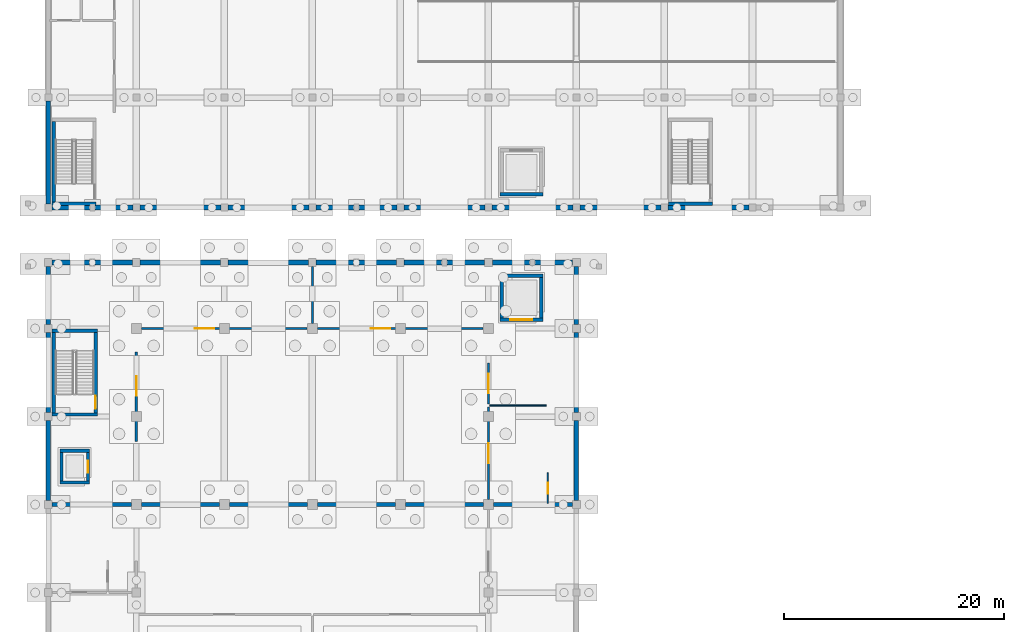
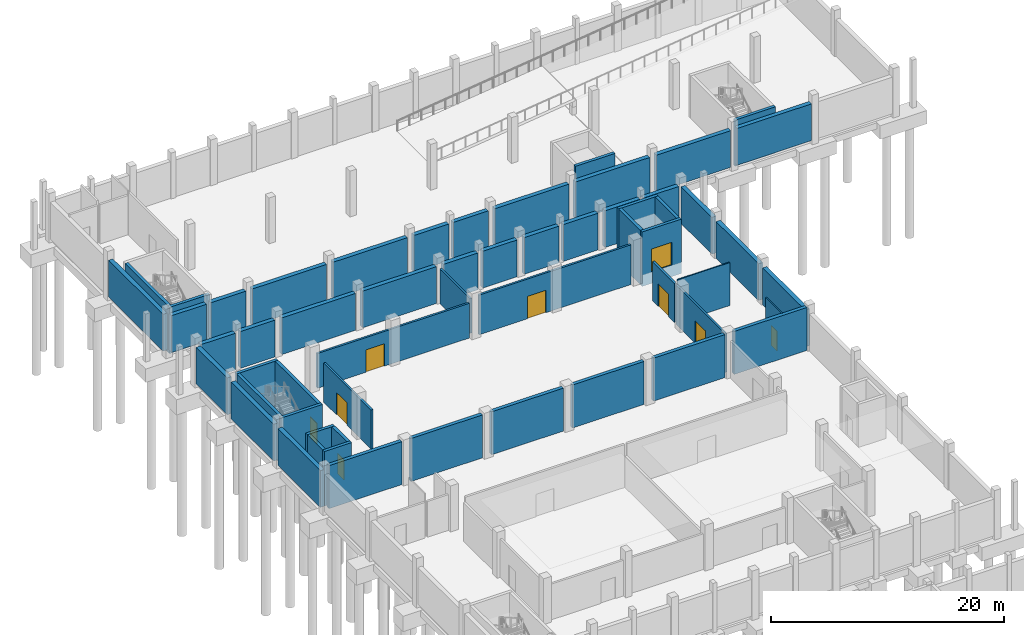
# One storey, part 28 of 52: 57 walls, 9 doors, 9 openings.
"""IFC4 building model written with IfcOpenShell, lengths in metres."""

from ifc_helpers import new_model, si_unit, direction, frame, frame_2d, origin, place, context, subcontext, project, spatial, rectangle, extrude, material, layer, layer_set, type_object, element, fill, save


model = new_model("IFC4")

# Units and contexts
model_context = context("Model", 3, precision=1e-05, world=origin(), true_north=direction((0.0, 1.0)))
body_context = subcontext(model_context, "Body", "Model", "MODEL_VIEW")
ifc_project = project(units=[si_unit("LENGTHUNIT", "METRE"), si_unit("AREAUNIT", "SQUARE_METRE"), si_unit("VOLUMEUNIT", "CUBIC_METRE"), si_unit("PLANEANGLEUNIT", "RADIAN"), si_unit("MASSUNIT", "GRAM", prefix="KILO")], contexts=[model_context])

# Site, building, storey
site_placement = place(None, origin())
site = spatial("IfcSite", under=ifc_project, at=site_placement, CompositionType="ELEMENT")
building_placement = place(site_placement, origin())
building = spatial("IfcBuilding", under=site, at=building_placement, Name="Luwemba Playhouse", CompositionType="ELEMENT")
storey_placement = place(building_placement, frame((0.0, 0.0, -4.800048828125)))
storey = spatial("IfcBuildingStorey", under=building, at=storey_placement, Name="B1", CompositionType="ELEMENT", Elevation=-4.800048828125)

# Walls
ifc_material_1 = material(Name="Concrete C40/50", Category="concrete")
ifc_layer_1 = layer(ifc_material_1, 0.300048828125)
ifc_layer_set_1 = layer_set([ifc_layer_1], Name="Concrete C40/50")
wall_type_1 = type_object("IfcWallType", Name="WAL-CORE-300", PredefinedType="SHEAR", material=ifc_layer_set_1)
for number, where, z_axis, x_axis, name in (
    (1, (4.35009765625, 76.18994140625, -0.3798828125), (0.0, 0.0, 1.0), (1.0, 0.0, 0.0), "B1 ST-03 stair core wall S"),
    (2, (8.449951171875, 83.81005859375, -0.3798828125), (0.0, 0.0, 1.0), (-1.0, 0.0, 0.0), "B1 ST-03 stair core wall N"),
):
    element("IfcWall", number, at=place(storey_placement, frame(where, z_axis=z_axis, x_axis=x_axis)), inside=storey, type_object=wall_type_1, Name=name, PredefinedType="SHEAR", context=body_context, shape_type="SweptSolid", body=[
        extrude(rectangle(XDim=4.099853515625, YDim=0.300048828125, at=frame_2d((2.0498046875, 0.0))), origin(), (0.0, 0.0, 1.0), 4.8798828125),
    ])
wall_1_placement = place(storey_placement, frame((4.5, 76.340087890625, -0.3798828125), z_axis=(0.0, 0.0, 1.0), x_axis=(0.0, 1.0, 0.0)))
element("IfcWall", 3, at=wall_1_placement, inside=storey, type_object=wall_type_1, Name="B1 ST-03 stair core wall W", PredefinedType="SHEAR", context=body_context, shape_type="SweptSolid", body=[
    extrude(rectangle(XDim=7.31982421875, YDim=0.300048828125, at=frame_2d((3.659912109375, 0.0))), origin(), (0.0, 0.0, 1.0), 4.8798828125),
])

# Wall, opening, door
wall_2_placement = place(storey_placement, frame((8.300048828125, 76.340087890625, -0.3798828125), z_axis=(0.0, 0.0, 1.0), x_axis=(0.0, 1.0, 0.0)))
wall_2 = element("IfcWall", 4, at=wall_2_placement, inside=storey, type_object=wall_type_1, Name="B1 ST-03 stair core wall E", PredefinedType="SHEAR", context=body_context, shape_type="SweptSolid", body=[
    extrude(rectangle(XDim=7.31982421875, YDim=0.300048828125, at=frame_2d((3.659912109375, 0.0))), origin(), (0.0, 0.0, 1.0), 4.8798828125),
])
opening_1_placement = place(wall_2_placement, frame((0.35009765625, 0.0, 0.3798828125)))
opening_1 = element("IfcOpeningElement", 5, at=opening_1_placement, cuts=wall_2, Name="Opening D-STAIR3", PredefinedType="OPENING", context=body_context, shape_type="SweptSolid", body=[
    extrude(rectangle(XDim=1.199951171875, YDim=2.14990234375, at=frame_2d((0.60009765625, 1.074951171875))), frame((0.0, 0.159912109375, 0.0), z_axis=(0.0, -1.0, 0.0), x_axis=(1.0, 0.0, 0.0)), (0.0, 0.0, 1.0), 0.320068359375),
])
ifc_material_2 = material(Name="Hardwood acoustic fire door leaf", Category="wood")
door_type_1 = type_object("IfcDoorType", Name="DR-STAIR-120", OperationType="NOTDEFINED", PredefinedType="DOOR", material=ifc_material_2)
door_1_placement = place(opening_1_placement, origin())
door_1 = element("IfcDoor", 6, at=door_1_placement, inside=storey, type_object=door_type_1, Name="B1 ST-03 protected stair entry door", OperationType="SINGLE_SWING_RIGHT", OverallHeight=2.14990234375, OverallWidth=1.199951171875, PredefinedType="DOOR", context=body_context, shape_type="SweptSolid", body=[
    extrude(rectangle(XDim=1.199951171875, YDim=2.14990234375, at=frame_2d((0.60009765625, 1.074951171875))), frame((0.0, 0.02490234375, 0.0), z_axis=(0.0, -1.0, 0.0), x_axis=(1.0, 0.0, 0.0)), (0.0, 0.0, 1.0), 0.050048828125),
])
fill(opening_1, door_1)

# Walls
wall_3_placement = place(storey_placement, frame((4.35009765625, 95.35009765625, -0.3798828125), z_axis=(0.0, 0.0, 1.0), x_axis=(1.0, 0.0, 0.0)))
element("IfcWall", 7, at=wall_3_placement, inside=storey, type_object=wall_type_1, Name="B1 ST-08 stair core wall S", PredefinedType="SHEAR", context=body_context, shape_type="SweptSolid", body=[
    extrude(rectangle(XDim=4.0, YDim=0.300048828125, at=frame_2d((2.0, 0.0))), origin(), (0.0, 0.0, 1.0), 4.83984375),
])
wall_4_placement = place(storey_placement, frame((4.5, 95.5, -0.3798828125), z_axis=(0.0, 0.0, 1.0), x_axis=(0.0, 1.0, 0.0)))
element("IfcWall", 8, at=wall_4_placement, inside=storey, type_object=wall_type_1, Name="B1 ST-08 stair core wall W", PredefinedType="SHEAR", context=body_context, shape_type="SweptSolid", body=[
    extrude(rectangle(XDim=7.320068359375, YDim=0.300048828125, at=frame_2d((3.66015625, 0.0))), origin(), (0.0, 0.0, 1.0), 4.83984375),
])
wall_5_placement = place(storey_placement, frame((60.35009765625, 95.35009765625, -0.3798828125), z_axis=(0.0, 0.0, 1.0), x_axis=(1.0, 0.0, 0.0)))
element("IfcWall", 9, at=wall_5_placement, inside=storey, type_object=wall_type_1, Name="B1 ST-15 stair core wall S", PredefinedType="SHEAR", context=body_context, shape_type="SweptSolid", body=[
    extrude(rectangle(XDim=4.0, YDim=0.300048828125, at=frame_2d((2.0, 0.0))), origin(), (0.0, 0.0, 1.0), 4.83984375),
])
for number, where, z_axis, x_axis, name in (
    (10, (5.050048828125, 70.0, -1.199951171875), (0.0, 0.0, 1.0), (1.0, 0.0, 0.0), "B1 Lift LF-P2 shaft wall S"),
    (11, (7.75, 72.89990234375, -1.199951171875), (0.0, 0.0, 1.0), (-1.0, 0.0, 0.0), "B1 Lift LF-P2 shaft wall N"),
):
    element("IfcWall", number, at=place(storey_placement, frame(where, z_axis=z_axis, x_axis=x_axis)), inside=storey, type_object=wall_type_1, Name=name, PredefinedType="SHEAR", context=body_context, shape_type="SweptSolid", body=[
        extrude(rectangle(XDim=2.699951171875, YDim=0.300048828125, at=frame_2d((1.35009765625, 0.0))), origin(), (0.0, 0.0, 1.0), 5.699951171875),
    ])
wall_6_placement = place(storey_placement, frame((5.199951171875, 70.14990234375, -1.199951171875), z_axis=(0.0, 0.0, 1.0), x_axis=(0.0, 1.0, 0.0)))
element("IfcWall", 12, at=wall_6_placement, inside=storey, type_object=wall_type_1, Name="B1 Lift LF-P2 shaft wall W", PredefinedType="SHEAR", context=body_context, shape_type="SweptSolid", body=[
    extrude(rectangle(XDim=2.60009765625, YDim=0.300048828125, at=frame_2d((1.300048828125, 0.0))), origin(), (0.0, 0.0, 1.0), 5.699951171875),
])

# Wall, opening, door
wall_7_placement = place(storey_placement, frame((7.60009765625, 72.75, -1.199951171875), z_axis=(0.0, 0.0, 1.0), x_axis=(0.0, -1.0, 0.0)))
wall_7 = element("IfcWall", 13, at=wall_7_placement, inside=storey, type_object=wall_type_1, Name="B1 Lift LF-P2 shaft wall E", PredefinedType="SHEAR", context=body_context, shape_type="SweptSolid", body=[
    extrude(rectangle(XDim=2.60009765625, YDim=0.300048828125, at=frame_2d((1.300048828125, 0.0))), origin(), (0.0, 0.0, 1.0), 5.699951171875),
])
opening_2_placement = place(wall_7_placement, frame((0.75, 0.0, 1.199951171875)))
opening_2 = element("IfcOpeningElement", 14, at=opening_2_placement, cuts=wall_7, Name="Opening LD-01", PredefinedType="OPENING", context=body_context, shape_type="SweptSolid", body=[
    extrude(rectangle(XDim=1.10009765625, YDim=2.14990234375, at=frame_2d((0.550048828125, 1.074951171875))), frame((0.0, 0.159912109375, 0.0), z_axis=(0.0, -1.0, 0.0), x_axis=(1.0, 0.0, 0.0)), (0.0, 0.0, 1.0), 0.320068359375),
])
ifc_material_3 = material(Name="Stainless steel lift landing doors", Category="steel")
door_type_2 = type_object("IfcDoorType", Name="DR-LIFT-110", OperationType="NOTDEFINED", PredefinedType="DOOR", material=ifc_material_3)
door_2_placement = place(opening_2_placement, origin())
door_2 = element("IfcDoor", 15, at=door_2_placement, inside=storey, type_object=door_type_2, Name="B1 Lift LF-P2 landing door", OperationType="DOUBLE_DOOR_SLIDING", OverallHeight=2.14990234375, OverallWidth=1.10009765625, PredefinedType="DOOR", context=body_context, shape_type="SweptSolid", body=[
    extrude(rectangle(XDim=1.10009765625, YDim=2.14990234375, at=frame_2d((0.550048828125, 1.074951171875))), frame((0.0, 0.02490234375, 0.0), z_axis=(0.0, -1.0, 0.0), x_axis=(1.0, 0.0, 0.0)), (0.0, 0.0, 1.0), 0.050048828125),
])
fill(opening_2, door_2)

wall_8_placement = place(storey_placement, frame((45.050048828125, 84.800048828125, -1.199951171875), z_axis=(0.0, 0.0, 1.0), x_axis=(1.0, 0.0, 0.0)))
wall_8 = element("IfcWall", 16, at=wall_8_placement, inside=storey, type_object=wall_type_1, Name="B1 Lift LF-G1 shaft wall S", PredefinedType="SHEAR", context=body_context, shape_type="SweptSolid", body=[
    extrude(rectangle(XDim=3.89990234375, YDim=0.300048828125, at=frame_2d((1.949951171875, 0.0))), origin(), (0.0, 0.0, 1.0), 5.699951171875),
])
opening_3_placement = place(wall_8_placement, frame((0.949951171875, 0.0, 1.199951171875)))
opening_3 = element("IfcOpeningElement", 17, at=opening_3_placement, cuts=wall_8, Name="Opening LD-02", PredefinedType="OPENING", context=body_context, shape_type="SweptSolid", body=[
    extrude(rectangle(XDim=2.0, YDim=2.39990234375, at=frame_2d((1.0, 1.199951171875))), frame((0.0, 0.159912109375, 0.0), z_axis=(0.0, -1.0, 0.0), x_axis=(1.0, 0.0, 0.0)), (0.0, 0.0, 1.0), 0.320068359375),
])
ifc_material_4 = material(Name="Heavy steel goods lift landing doors", Category="steel")
door_type_3 = type_object("IfcDoorType", Name="DR-LIFT-200", OperationType="NOTDEFINED", PredefinedType="DOOR", material=ifc_material_4)
door_3_placement = place(opening_3_placement, origin())
door_3 = element("IfcDoor", 18, at=door_3_placement, inside=storey, type_object=door_type_3, Name="B1 Lift LF-G1 landing door", OperationType="DOUBLE_DOOR_SLIDING", OverallHeight=2.39990234375, OverallWidth=2.0, PredefinedType="DOOR", context=body_context, shape_type="SweptSolid", body=[
    extrude(rectangle(XDim=2.0, YDim=2.39990234375, at=frame_2d((1.0, 1.199951171875))), frame((0.0, 0.02490234375, 0.0), z_axis=(0.0, -1.0, 0.0), x_axis=(1.0, 0.0, 0.0)), (0.0, 0.0, 1.0), 0.050048828125),
])
fill(opening_3, door_3)

# Walls
wall_9_placement = place(storey_placement, frame((48.949951171875, 88.800048828125, -1.199951171875), z_axis=(0.0, 0.0, 1.0), x_axis=(-1.0, 0.0, 0.0)))
element("IfcWall", 19, at=wall_9_placement, inside=storey, type_object=wall_type_1, Name="B1 Lift LF-G1 shaft wall N", PredefinedType="SHEAR", context=body_context, shape_type="SweptSolid", body=[
    extrude(rectangle(XDim=3.89990234375, YDim=0.300048828125, at=frame_2d((1.949951171875, 0.0))), origin(), (0.0, 0.0, 1.0), 5.699951171875),
])
for number, where, z_axis, x_axis, name in (
    (20, (45.199951171875, 84.949951171875, -1.199951171875), (0.0, 0.0, 1.0), (0.0, 1.0, 0.0), "B1 Lift LF-G1 shaft wall W"),
    (21, (48.800048828125, 88.64990234375, -1.199951171875), (0.0, 0.0, 1.0), (0.0, -1.0, 0.0), "B1 Lift LF-G1 shaft wall E"),
):
    element("IfcWall", number, at=place(storey_placement, frame(where, z_axis=z_axis, x_axis=x_axis)), inside=storey, type_object=wall_type_1, Name=name, PredefinedType="SHEAR", context=body_context, shape_type="SweptSolid", body=[
        extrude(rectangle(XDim=3.699951171875, YDim=0.300048828125, at=frame_2d((1.85009765625, 0.0))), origin(), (0.0, 0.0, 1.0), 5.699951171875),
    ])
wall_10_placement = place(storey_placement, frame((45.050048828125, 96.199951171875, -1.199951171875), z_axis=(0.0, 0.0, 1.0), x_axis=(1.0, 0.0, 0.0)))
element("IfcWall", 22, at=wall_10_placement, inside=storey, type_object=wall_type_1, Name="B1 Lift LF-G2 shaft wall S", PredefinedType="SHEAR", context=body_context, shape_type="SweptSolid", body=[
    extrude(rectangle(XDim=3.89990234375, YDim=0.300048828125, at=frame_2d((1.949951171875, 0.0))), origin(), (0.0, 0.0, 1.0), 5.659912109375),
])

# Wall, opening, door
ifc_material_5 = material(Name="Moisture-resistant sanitary partition", Category="gypsum")
ifc_layer_2 = layer(ifc_material_5, 0.1201171875)
ifc_layer_set_2 = layer_set([ifc_layer_2], Name="Moisture-resistant sanitary partition")
wall_type_2 = type_object("IfcWallType", Name="WAL-INT-120", PredefinedType="PARTITIONING", material=ifc_layer_set_2)
wall_11_placement = place(storey_placement, frame((49.39990234375, 68.1201171875, 0.0), z_axis=(0.0, 0.0, 1.0), x_axis=(0.0, 1.0, 0.0)))
wall_11 = element("IfcWall", 23, at=wall_11_placement, inside=storey, type_object=wall_type_2, Name="B1 V2 interior partition 0019", PredefinedType="PARTITIONING", context=body_context, shape_type="SweptSolid", body=[
    extrude(rectangle(XDim=2.759765625, YDim=0.1201171875, at=frame_2d((1.3798828125, 0.0))), origin(), (0.0, 0.0, 1.0), 4.5),
])
opening_4_placement = place(wall_11_placement, frame((0.8798828125, 0.0, 0.0)))
opening_4 = element("IfcOpeningElement", 24, at=opening_4_placement, cuts=wall_11, Name="Opening D-AWC", PredefinedType="OPENING", context=body_context, shape_type="SweptSolid", body=[
    extrude(rectangle(XDim=1.0, YDim=2.10009765625, at=frame_2d((0.5, 1.050048828125))), frame((0.0, 0.070068359375, 0.0), z_axis=(0.0, -1.0, 0.0), x_axis=(1.0, 0.0, 0.0)), (0.0, 0.0, 1.0), 0.14013671875),
])
ifc_material_6 = material(Name="Accessible WC outward-assisted timber door", Category="wood")
door_type_4 = type_object("IfcDoorType", Name="DR-AWC-100", OperationType="NOTDEFINED", PredefinedType="DOOR", material=ifc_material_6)
door_4_placement = place(opening_4_placement, origin())
door_4 = element("IfcDoor", 25, at=door_4_placement, inside=storey, type_object=door_type_4, Name="B1 Backstage Basement Toilets to Backstage Basement Accessible WC door", OperationType="SINGLE_SWING_LEFT", OverallHeight=2.10009765625, OverallWidth=1.0, PredefinedType="DOOR", context=body_context, shape_type="SweptSolid", body=[
    extrude(rectangle(XDim=1.0, YDim=2.10009765625, at=frame_2d((0.5, 1.050048828125))), frame((0.0, 0.02490234375, 0.0), z_axis=(0.0, -1.0, 0.0), x_axis=(1.0, 0.0, 0.0)), (0.0, 0.0, 1.0), 0.050048828125),
])
fill(opening_4, door_4)

# Wall
wall_12_placement = place(storey_placement, frame((44.1201171875, 77.0, 0.0), z_axis=(0.0, 0.0, 1.0), x_axis=(1.0, 0.0, 0.0)))
element("IfcWall", 26, at=wall_12_placement, inside=storey, type_object=wall_type_2, Name="B1 V2 interior partition 0020", PredefinedType="PARTITIONING", context=body_context, shape_type="SweptSolid", body=[
    extrude(rectangle(XDim=5.159912109375, YDim=0.1201171875, at=frame_2d((2.580078125, 0.0))), origin(), (0.0, 0.0, 1.0), 4.5),
])

# Wall, opening, door
ifc_material_7 = material(Name="Clay acoustic masonry blockwork", Category="masonry")
ifc_layer_3 = layer(ifc_material_7, 0.199951171875)
ifc_layer_set_3 = layer_set([ifc_layer_3], Name="Clay acoustic masonry blockwork")
wall_type_3 = type_object("IfcWallType", Name="WAL-INT-200", PredefinedType="PARTITIONING", material=ifc_layer_set_3)
wall_13_placement = place(storey_placement, frame((12.469970703125, 84.0, 0.0), z_axis=(0.0, 0.0, 1.0), x_axis=(1.0, 0.0, 0.0)))
wall_13 = element("IfcWall", 27, at=wall_13_placement, inside=storey, type_object=wall_type_3, Name="B1 V2 interior partition 0013", PredefinedType="PARTITIONING", context=body_context, shape_type="SweptSolid", body=[
    extrude(rectangle(XDim=15.06005859375, YDim=0.199951171875, at=frame_2d((7.530029296875, 0.0))), origin(), (0.0, 0.0, 1.0), 3.635009765625),
])
opening_5_placement = place(wall_13_placement, frame((4.82275390625, 0.0, 0.0)))
opening_5 = element("IfcOpeningElement", 28, at=opening_5_placement, cuts=wall_13, Name="Opening D-AUD1", PredefinedType="OPENING", context=body_context, shape_type="SweptSolid", body=[
    extrude(rectangle(XDim=1.800048828125, YDim=2.35009765625, at=frame_2d((0.89990234375, 1.175048828125))), frame((0.0, 0.10986328125, 0.0), z_axis=(0.0, -1.0, 0.0), x_axis=(1.0, 0.0, 0.0)), (0.0, 0.0, 1.0), 0.219970703125),
])
ifc_material_8 = material(Name="Double acoustic timber theatre door", Category="wood")
door_type_5 = type_object("IfcDoorType", Name="DR-AUD-180", OperationType="NOTDEFINED", PredefinedType="DOOR", material=ifc_material_8)
door_5_placement = place(opening_5_placement, origin())
door_5 = element("IfcDoor", 29, at=door_5_placement, inside=storey, type_object=door_type_5, Name="B1 Main Stage Trap Room to Stage Lift Hydraulic Chamber door", OperationType="DOUBLE_DOOR_SINGLE_SWING", OverallHeight=2.35009765625, OverallWidth=1.800048828125, PredefinedType="DOOR", context=body_context, shape_type="SweptSolid", body=[
    extrude(rectangle(XDim=1.800048828125, YDim=2.35009765625, at=frame_2d((0.89990234375, 1.175048828125))), frame((0.0, 0.02490234375, 0.0), z_axis=(0.0, -1.0, 0.0), x_axis=(1.0, 0.0, 0.0)), (0.0, 0.0, 1.0), 0.050048828125),
])
fill(opening_5, door_5)

wall_14_placement = place(storey_placement, frame((28.469970703125, 84.0, 0.0), z_axis=(0.0, 0.0, 1.0), x_axis=(1.0, 0.0, 0.0)))
wall_14 = element("IfcWall", 30, at=wall_14_placement, inside=storey, type_object=wall_type_3, Name="B1 V2 interior partition 0014", PredefinedType="PARTITIONING", context=body_context, shape_type="SweptSolid", body=[
    extrude(rectangle(XDim=15.06005859375, YDim=0.199951171875, at=frame_2d((7.530029296875, 0.0))), origin(), (0.0, 0.0, 1.0), 4.155029296875),
])
opening_6_placement = place(wall_14_placement, frame((4.82275390625, 0.0, 0.0)))
opening_6 = element("IfcOpeningElement", 31, at=opening_6_placement, cuts=wall_14, Name="Opening D-AUD1", PredefinedType="OPENING", context=body_context, shape_type="SweptSolid", body=[
    extrude(rectangle(XDim=1.800048828125, YDim=2.35009765625, at=frame_2d((0.89990234375, 1.175048828125))), frame((0.0, 0.10986328125, 0.0), z_axis=(0.0, -1.0, 0.0), x_axis=(1.0, 0.0, 0.0)), (0.0, 0.0, 1.0), 0.219970703125),
])
door_6_placement = place(opening_6_placement, origin())
door_6 = element("IfcDoor", 32, at=door_6_placement, inside=storey, type_object=door_type_5, Name="B1 Main Stage Trap Room to Understage Heavy Prop Vault door", OperationType="DOUBLE_DOOR_SINGLE_SWING", OverallHeight=2.35009765625, OverallWidth=1.800048828125, PredefinedType="DOOR", context=body_context, shape_type="SweptSolid", body=[
    extrude(rectangle(XDim=1.800048828125, YDim=2.35009765625, at=frame_2d((0.89990234375, 1.175048828125))), frame((0.0, 0.02490234375, 0.0), z_axis=(0.0, -1.0, 0.0), x_axis=(1.0, 0.0, 0.0)), (0.0, 0.0, 1.0), 0.050048828125),
])
fill(opening_6, door_6)

wall_15_placement = place(storey_placement, frame((12.0, 73.719970703125, 0.0), z_axis=(0.0, 0.0, 1.0), x_axis=(0.0, 1.0, 0.0)))
wall_15 = element("IfcWall", 33, at=wall_15_placement, inside=storey, type_object=wall_type_3, Name="B1 V2 interior partition 0015", PredefinedType="PARTITIONING", context=body_context, shape_type="SweptSolid", body=[
    extrude(rectangle(XDim=8.159912109375, YDim=0.199951171875, at=frame_2d((4.080078125, 0.0))), origin(), (0.0, 0.0, 1.0), 4.094970703125),
])
opening_7_placement = place(wall_15_placement, frame((4.1591796875, 0.0, 0.0)))
opening_7 = element("IfcOpeningElement", 34, at=opening_7_placement, cuts=wall_15, Name="Opening D-AUD1", PredefinedType="OPENING", context=body_context, shape_type="SweptSolid", body=[
    extrude(rectangle(XDim=1.800048828125, YDim=2.35009765625, at=frame_2d((0.89990234375, 1.175048828125))), frame((0.0, 0.10986328125, 0.0), z_axis=(0.0, -1.0, 0.0), x_axis=(1.0, 0.0, 0.0)), (0.0, 0.0, 1.0), 0.219970703125),
])
door_7_placement = place(opening_7_placement, origin())
door_7 = element("IfcDoor", 35, at=door_7_placement, inside=storey, type_object=door_type_5, Name="B1 Main Stage Trap Room to Backstage Understage Corridor door", OperationType="DOUBLE_DOOR_SINGLE_SWING", OverallHeight=2.35009765625, OverallWidth=1.800048828125, PredefinedType="DOOR", context=body_context, shape_type="SweptSolid", body=[
    extrude(rectangle(XDim=1.800048828125, YDim=2.35009765625, at=frame_2d((0.89990234375, 1.175048828125))), frame((0.0, 0.02490234375, 0.0), z_axis=(0.0, -1.0, 0.0), x_axis=(1.0, 0.0, 0.0)), (0.0, 0.0, 1.0), 0.050048828125),
])
fill(opening_7, door_7)

wall_16_placement = place(storey_placement, frame((44.0, 68.469970703125, 0.0), z_axis=(0.0, 0.0, 1.0), x_axis=(0.0, 1.0, 0.0)))
wall_16 = element("IfcWall", 36, at=wall_16_placement, inside=storey, type_object=wall_type_3, Name="B1 V2 interior partition 0016", PredefinedType="PARTITIONING", context=body_context, shape_type="SweptSolid", body=[
    extrude(rectangle(XDim=8.409912109375, YDim=0.199951171875, at=frame_2d((4.205078125, 0.0))), origin(), (0.0, 0.0, 1.0), 4.094970703125),
])
opening_8_placement = place(wall_16_placement, frame((3.304931640625, 0.0, 0.0)))
opening_8 = element("IfcOpeningElement", 37, at=opening_8_placement, cuts=wall_16, Name="Opening D-AUD1", PredefinedType="OPENING", context=body_context, shape_type="SweptSolid", body=[
    extrude(rectangle(XDim=1.800048828125, YDim=2.35009765625, at=frame_2d((0.89990234375, 1.175048828125))), frame((0.0, 0.10986328125, 0.0), z_axis=(0.0, -1.0, 0.0), x_axis=(1.0, 0.0, 0.0)), (0.0, 0.0, 1.0), 0.219970703125),
])
door_8_placement = place(opening_8_placement, origin())
door_8 = element("IfcDoor", 38, at=door_8_placement, inside=storey, type_object=door_type_5, Name="B1 Main Stage Trap Room to Backstage Basement Toilets door", OperationType="DOUBLE_DOOR_SINGLE_SWING", OverallHeight=2.35009765625, OverallWidth=1.800048828125, PredefinedType="DOOR", context=body_context, shape_type="SweptSolid", body=[
    extrude(rectangle(XDim=1.800048828125, YDim=2.35009765625, at=frame_2d((0.89990234375, 1.175048828125))), frame((0.0, 0.02490234375, 0.0), z_axis=(0.0, -1.0, 0.0), x_axis=(1.0, 0.0, 0.0)), (0.0, 0.0, 1.0), 0.050048828125),
])
fill(opening_8, door_8)

wall_17_placement = place(storey_placement, frame((44.0, 77.1201171875, 0.0), z_axis=(0.0, 0.0, 1.0), x_axis=(0.0, 1.0, 0.0)))
wall_17 = element("IfcWall", 39, at=wall_17_placement, inside=storey, type_object=wall_type_3, Name="B1 V2 interior partition 0017", PredefinedType="PARTITIONING", context=body_context, shape_type="SweptSolid", body=[
    extrude(rectangle(XDim=3.759765625, YDim=0.199951171875, at=frame_2d((1.8798828125, 0.0))), origin(), (0.0, 0.0, 1.0), 4.094970703125),
])
opening_9_placement = place(wall_17_placement, frame((0.97998046875, 0.0, 0.0)))
opening_9 = element("IfcOpeningElement", 40, at=opening_9_placement, cuts=wall_17, Name="Opening D-AUD1", PredefinedType="OPENING", context=body_context, shape_type="SweptSolid", body=[
    extrude(rectangle(XDim=1.800048828125, YDim=2.35009765625, at=frame_2d((0.89990234375, 1.175048828125))), frame((0.0, 0.10986328125, 0.0), z_axis=(0.0, -1.0, 0.0), x_axis=(1.0, 0.0, 0.0)), (0.0, 0.0, 1.0), 0.219970703125),
])
door_9_placement = place(opening_9_placement, origin())
door_9 = element("IfcDoor", 41, at=door_9_placement, inside=storey, type_object=door_type_5, Name="B1 Main Stage Trap Room to Stage Rigging Cable Store door", OperationType="DOUBLE_DOOR_SINGLE_SWING", OverallHeight=2.35009765625, OverallWidth=1.800048828125, PredefinedType="DOOR", context=body_context, shape_type="SweptSolid", body=[
    extrude(rectangle(XDim=1.800048828125, YDim=2.35009765625, at=frame_2d((0.89990234375, 1.175048828125))), frame((0.0, 0.02490234375, 0.0), z_axis=(0.0, -1.0, 0.0), x_axis=(1.0, 0.0, 0.0)), (0.0, 0.0, 1.0), 0.050048828125),
])
fill(opening_9, door_9)

# Walls
wall_18_placement = place(storey_placement, frame((28.0, 84.469970703125, 0.0), z_axis=(0.0, 0.0, 1.0), x_axis=(0.0, 1.0, 0.0)))
element("IfcWall", 42, at=wall_18_placement, inside=storey, type_object=wall_type_3, Name="B1 V2 interior partition 0018", PredefinedType="PARTITIONING", context=body_context, shape_type="SweptSolid", body=[
    extrude(rectangle(XDim=5.159912109375, YDim=0.199951171875, at=frame_2d((2.580078125, 0.0))), origin(), (0.0, 0.0, 1.0), 3.635009765625),
])
ifc_layer_4 = layer(ifc_material_1, 0.35009765625)
ifc_layer_set_4 = layer_set([ifc_layer_4], Name="Concrete C40/50")
wall_type_4 = type_object("IfcWallType", Name="WAL-PROS-350", PredefinedType="SHEAR", material=ifc_layer_set_4)
wall_19_placement = place(storey_placement, frame((4.35009765625, 68.0, 0.0), z_axis=(0.0, 0.0, 1.0), x_axis=(1.0, 0.0, 0.0)))
element("IfcWall", 43, at=wall_19_placement, inside=storey, type_object=wall_type_4, Name="B1 Proscenium fire wall 01", PredefinedType="SHEAR", context=body_context, shape_type="SweptSolid", body=[
    extrude(rectangle(XDim=7.199951171875, YDim=0.35009765625, at=frame_2d((3.60009765625, 0.0))), origin(), (0.0, 0.0, 1.0), 4.5),
])
for number, where, z_axis, x_axis, name in (
    (44, (12.449951171875, 68.0, 0.0), (0.0, 0.0, 1.0), (1.0, 0.0, 0.0), "B1 Proscenium fire wall 02"),
    (45, (20.449951171875, 68.0, 0.0), (0.0, 0.0, 1.0), (1.0, 0.0, 0.0), "B1 Proscenium fire wall 03"),
    (46, (28.449951171875, 68.0, 0.0), (0.0, 0.0, 1.0), (1.0, 0.0, 0.0), "B1 Proscenium fire wall 04"),
    (47, (36.449951171875, 68.0, 0.0), (0.0, 0.0, 1.0), (1.0, 0.0, 0.0), "B1 Proscenium fire wall 05"),
):
    element("IfcWall", number, at=place(storey_placement, frame(where, z_axis=z_axis, x_axis=x_axis)), inside=storey, type_object=wall_type_4, Name=name, PredefinedType="SHEAR", context=body_context, shape_type="SweptSolid", body=[
        extrude(rectangle(XDim=7.10009765625, YDim=0.35009765625, at=frame_2d((3.550048828125, 0.0))), origin(), (0.0, 0.0, 1.0), 4.5),
    ])
wall_20_placement = place(storey_placement, frame((44.449951171875, 68.0, 0.0), z_axis=(0.0, 0.0, 1.0), x_axis=(1.0, 0.0, 0.0)))
element("IfcWall", 48, at=wall_20_placement, inside=storey, type_object=wall_type_4, Name="B1 Proscenium fire wall 06", PredefinedType="SHEAR", context=body_context, shape_type="SweptSolid", body=[
    extrude(rectangle(XDim=7.199951171875, YDim=0.35009765625, at=frame_2d((3.60009765625, 0.0))), origin(), (0.0, 0.0, 1.0), 4.5),
])
ifc_material_9 = material(Name="Concrete C32/40", Category="concrete")
ifc_layer_5 = layer(ifc_material_9, 0.419921875)
ifc_layer_set_5 = layer_set([ifc_layer_5], Name="Concrete C32/40")
wall_type_5 = type_object("IfcWallType", Name="WAL-RET-420", PredefinedType="USERDEFINED", material=ifc_layer_set_5)
for number, where, z_axis, x_axis, name in (
    (49, (4.0, 68.35009765625, 0.0), (0.0, 0.0, 1.0), (0.0, 1.0, 0.0), "Basement retaining wall 021"),
    (50, (4.0, 76.35009765625, 0.0), (0.0, 0.0, 1.0), (0.0, 1.0, 0.0), "Basement retaining wall 022"),
):
    element("IfcWall", number, at=place(storey_placement, frame(where, z_axis=z_axis, x_axis=x_axis)), inside=storey, type_object=wall_type_5, Name=name, ObjectType="RETAINING WALL", PredefinedType="USERDEFINED", context=body_context, shape_type="SweptSolid", body=[
        extrude(rectangle(XDim=7.2998046875, YDim=0.419921875, at=frame_2d((3.64990234375, 0.0))), origin(), (0.0, 0.0, 1.0), 3.85009765625),
    ])
wall_21_placement = place(storey_placement, frame((4.0, 84.35009765625, 0.0), z_axis=(0.0, 0.0, 1.0), x_axis=(0.0, 1.0, 0.0)))
element("IfcWall", 51, at=wall_21_placement, inside=storey, type_object=wall_type_5, Name="Basement retaining wall 023", ObjectType="RETAINING WALL", PredefinedType="USERDEFINED", context=body_context, shape_type="SweptSolid", body=[
    extrude(rectangle(XDim=5.2998046875, YDim=0.419921875, at=frame_2d((2.64990234375, 0.0))), origin(), (0.0, 0.0, 1.0), 3.85009765625),
])
for number, where, z_axis, x_axis, name in (
    (52, (4.35009765625, 90.0, 0.0), (0.0, 0.0, 1.0), (1.0, 0.0, 0.0), "Basement retaining wall 024"),
    (53, (8.25, 90.0, 0.0), (0.0, 0.0, 1.0), (1.0, 0.0, 0.0), "Basement retaining wall 025"),
):
    element("IfcWall", number, at=place(storey_placement, frame(where, z_axis=z_axis, x_axis=x_axis)), inside=storey, type_object=wall_type_5, Name=name, ObjectType="RETAINING WALL", PredefinedType="USERDEFINED", context=body_context, shape_type="SweptSolid", body=[
        extrude(rectangle(XDim=3.39990234375, YDim=0.419921875, at=frame_2d((1.699951171875, 0.0))), origin(), (0.0, 0.0, 1.0), 3.85009765625),
    ])
for number, where, z_axis, x_axis, name in (
    (54, (12.35009765625, 90.0, 0.0), (0.0, 0.0, 1.0), (1.0, 0.0, 0.0), "Basement retaining wall 026"),
    (55, (20.35009765625, 90.0, 0.0), (0.0, 0.0, 1.0), (1.0, 0.0, 0.0), "Basement retaining wall 027"),
):
    element("IfcWall", number, at=place(storey_placement, frame(where, z_axis=z_axis, x_axis=x_axis)), inside=storey, type_object=wall_type_5, Name=name, ObjectType="RETAINING WALL", PredefinedType="USERDEFINED", context=body_context, shape_type="SweptSolid", body=[
        extrude(rectangle(XDim=7.2998046875, YDim=0.419921875, at=frame_2d((3.64990234375, 0.0))), origin(), (0.0, 0.0, 1.0), 3.85009765625),
    ])
for number, where, z_axis, x_axis, name in (
    (56, (28.35009765625, 90.0, 0.0), (0.0, 0.0, 1.0), (1.0, 0.0, 0.0), "Basement retaining wall 028"),
    (57, (32.25, 90.0, 0.0), (0.0, 0.0, 1.0), (1.0, 0.0, 0.0), "Basement retaining wall 029"),
):
    element("IfcWall", number, at=place(storey_placement, frame(where, z_axis=z_axis, x_axis=x_axis)), inside=storey, type_object=wall_type_5, Name=name, ObjectType="RETAINING WALL", PredefinedType="USERDEFINED", context=body_context, shape_type="SweptSolid", body=[
        extrude(rectangle(XDim=3.39990234375, YDim=0.419921875, at=frame_2d((1.699951171875, 0.0))), origin(), (0.0, 0.0, 1.0), 3.85009765625),
    ])
for number, where, z_axis, x_axis, name in (
    (58, (36.35009765625, 90.0, 0.0), (0.0, 0.0, 1.0), (1.0, 0.0, 0.0), "Basement retaining wall 030"),
    (59, (40.22509765625, 90.0, 0.0), (0.0, 0.0, 1.0), (1.0, 0.0, 0.0), "Basement retaining wall 031"),
):
    element("IfcWall", number, at=place(storey_placement, frame(where, z_axis=z_axis, x_axis=x_axis)), inside=storey, type_object=wall_type_5, Name=name, ObjectType="RETAINING WALL", PredefinedType="USERDEFINED", context=body_context, shape_type="SweptSolid", body=[
        extrude(rectangle(XDim=3.4248046875, YDim=0.419921875, at=frame_2d((1.71240234375, 0.0))), origin(), (0.0, 0.0, 1.0), 3.85009765625),
    ])
for number, where, z_axis, x_axis, name in (
    (60, (44.35009765625, 90.0, 0.0), (0.0, 0.0, 1.0), (1.0, 0.0, 0.0), "Basement retaining wall 032"),
    (61, (48.199951171875, 90.0, 0.0), (0.0, 0.0, 1.0), (1.0, 0.0, 0.0), "Basement retaining wall 033"),
):
    element("IfcWall", number, at=place(storey_placement, frame(where, z_axis=z_axis, x_axis=x_axis)), inside=storey, type_object=wall_type_5, Name=name, ObjectType="RETAINING WALL", PredefinedType="USERDEFINED", context=body_context, shape_type="SweptSolid", body=[
        extrude(rectangle(XDim=3.449951171875, YDim=0.419921875, at=frame_2d((1.72509765625, 0.0))), origin(), (0.0, 0.0, 1.0), 3.85009765625),
    ])
wall_22_placement = place(storey_placement, frame((52.0, 89.64990234375, 0.0), z_axis=(0.0, 0.0, 1.0), x_axis=(0.0, -1.0, 0.0)))
element("IfcWall", 62, at=wall_22_placement, inside=storey, type_object=wall_type_5, Name="Basement retaining wall 034", ObjectType="RETAINING WALL", PredefinedType="USERDEFINED", context=body_context, shape_type="SweptSolid", body=[
    extrude(rectangle(XDim=5.2998046875, YDim=0.419921875, at=frame_2d((2.64990234375, 0.0))), origin(), (0.0, 0.0, 1.0), 3.85009765625),
])
for number, where, z_axis, x_axis, name in (
    (63, (52.0, 83.64990234375, 0.0), (0.0, 0.0, 1.0), (0.0, -1.0, 0.0), "Basement retaining wall 035"),
    (64, (52.0, 75.64990234375, 0.0), (0.0, 0.0, 1.0), (0.0, -1.0, 0.0), "Basement retaining wall 036"),
):
    element("IfcWall", number, at=place(storey_placement, frame(where, z_axis=z_axis, x_axis=x_axis)), inside=storey, type_object=wall_type_5, Name=name, ObjectType="RETAINING WALL", PredefinedType="USERDEFINED", context=body_context, shape_type="SweptSolid", body=[
        extrude(rectangle(XDim=7.2998046875, YDim=0.419921875, at=frame_2d((3.64990234375, 0.0))), origin(), (0.0, 0.0, 1.0), 3.85009765625),
    ])
wall_23_placement = place(storey_placement, frame((4.0, 95.324951171875, 0.0), z_axis=(0.0, 0.0, 1.0), x_axis=(0.0, 1.0, 0.0)))
element("IfcWall", 65, at=wall_23_placement, inside=storey, type_object=wall_type_5, Name="Basement retaining wall 151", ObjectType="RETAINING WALL", PredefinedType="USERDEFINED", context=body_context, shape_type="SweptSolid", body=[
    extrude(rectangle(XDim=9.35009765625, YDim=0.419921875, at=frame_2d((4.675048828125, 0.0))), origin(), (0.0, 0.0, 1.0), 3.85009765625),
])
for number, where, z_axis, x_axis, name in (
    (66, (67.675048828125, 95.0, 0.0), (0.0, 0.0, 1.0), (-1.0, 0.0, 0.0), "Basement retaining wall 174"),
    (67, (59.675048828125, 95.0, 0.0), (0.0, 0.0, 1.0), (-1.0, 0.0, 0.0), "Basement retaining wall 175"),
    (68, (51.675048828125, 95.0, 0.0), (0.0, 0.0, 1.0), (-1.0, 0.0, 0.0), "Basement retaining wall 176"),
    (69, (43.675048828125, 95.0, 0.0), (0.0, 0.0, 1.0), (-1.0, 0.0, 0.0), "Basement retaining wall 177"),
):
    element("IfcWall", number, at=place(storey_placement, frame(where, z_axis=z_axis, x_axis=x_axis)), inside=storey, type_object=wall_type_5, Name=name, ObjectType="RETAINING WALL", PredefinedType="USERDEFINED", context=body_context, shape_type="SweptSolid", body=[
        extrude(rectangle(XDim=7.35009765625, YDim=0.419921875, at=frame_2d((3.675048828125, 0.0))), origin(), (0.0, 0.0, 1.0), 3.85009765625),
    ])
for number, where, z_axis, x_axis, name in (
    (70, (35.675048828125, 95.0, 0.0), (0.0, 0.0, 1.0), (-1.0, 0.0, 0.0), "Basement retaining wall 178"),
    (71, (31.77490234375, 95.0, 0.0), (0.0, 0.0, 1.0), (-1.0, 0.0, 0.0), "Basement retaining wall 179"),
):
    element("IfcWall", number, at=place(storey_placement, frame(where, z_axis=z_axis, x_axis=x_axis)), inside=storey, type_object=wall_type_5, Name=name, ObjectType="RETAINING WALL", PredefinedType="USERDEFINED", context=body_context, shape_type="SweptSolid", body=[
        extrude(rectangle(XDim=3.449951171875, YDim=0.419921875, at=frame_2d((1.72509765625, 0.0))), origin(), (0.0, 0.0, 1.0), 3.85009765625),
    ])
for number, where, z_axis, x_axis, name in (
    (72, (27.675048828125, 95.0, 0.0), (0.0, 0.0, 1.0), (-1.0, 0.0, 0.0), "Basement retaining wall 180"),
    (73, (19.675048828125, 95.0, 0.0), (0.0, 0.0, 1.0), (-1.0, 0.0, 0.0), "Basement retaining wall 181"),
):
    element("IfcWall", number, at=place(storey_placement, frame(where, z_axis=z_axis, x_axis=x_axis)), inside=storey, type_object=wall_type_5, Name=name, ObjectType="RETAINING WALL", PredefinedType="USERDEFINED", context=body_context, shape_type="SweptSolid", body=[
        extrude(rectangle(XDim=7.35009765625, YDim=0.419921875, at=frame_2d((3.675048828125, 0.0))), origin(), (0.0, 0.0, 1.0), 3.85009765625),
    ])
for number, where, z_axis, x_axis, name in (
    (74, (11.675048828125, 95.0, 0.0), (0.0, 0.0, 1.0), (-1.0, 0.0, 0.0), "Basement retaining wall 182"),
    (75, (7.77490234375, 95.0, 0.0), (0.0, 0.0, 1.0), (-1.0, 0.0, 0.0), "Basement retaining wall 183"),
):
    element("IfcWall", number, at=place(storey_placement, frame(where, z_axis=z_axis, x_axis=x_axis)), inside=storey, type_object=wall_type_5, Name=name, ObjectType="RETAINING WALL", PredefinedType="USERDEFINED", context=body_context, shape_type="SweptSolid", body=[
        extrude(rectangle(XDim=3.449951171875, YDim=0.419921875, at=frame_2d((1.72509765625, 0.0))), origin(), (0.0, 0.0, 1.0), 3.85009765625),
    ])

save(model, "model.ifc")
